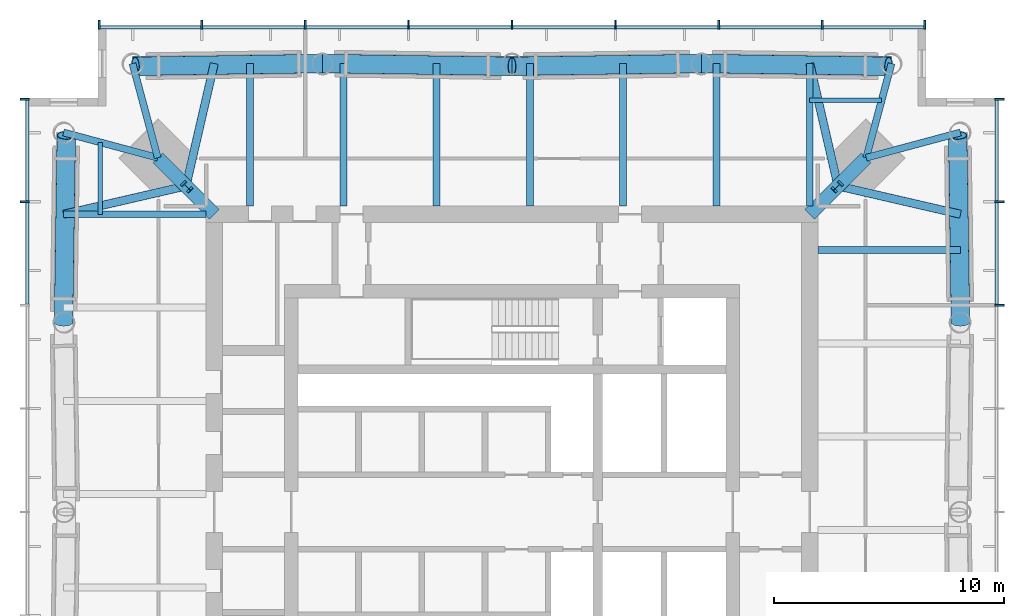
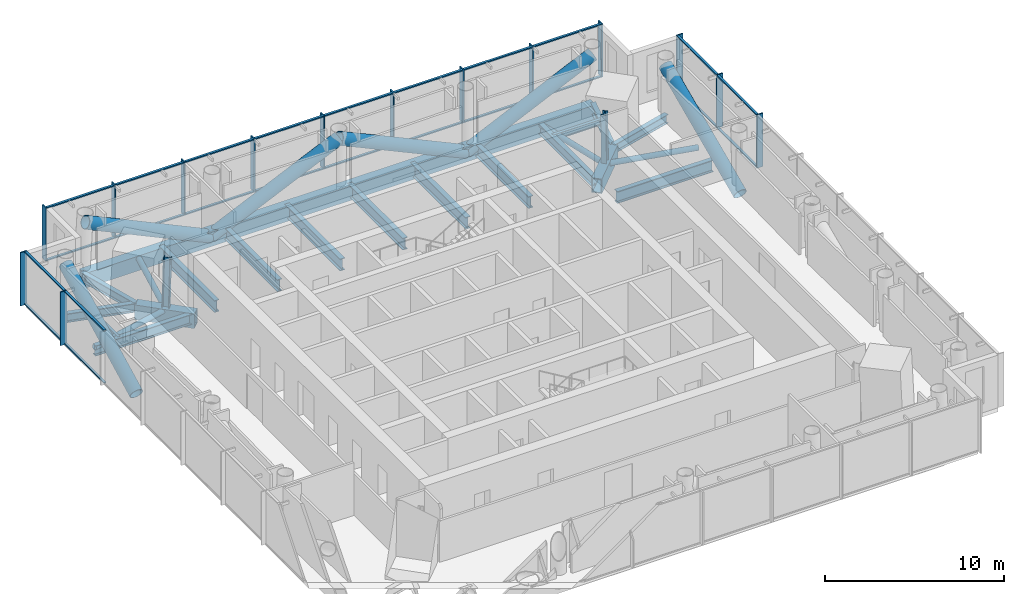
# One storey, part 3 of 9: 53 members, 15 beams, 3 elements without a shape of their own.
"""IFC4 building model written with IfcOpenShell, lengths in metres."""

from ifc_helpers import new_model, si_unit, direction, frame, origin, origin_2d, place, context, subcontext, project, spatial, rectangle, hollow_rectangle, hollow_circle, i_section, extrude, material, material_profile, profile_set, type_object, element, aggregate, save


model = new_model("IFC4")

# Units and contexts
model_context = context("Model", 3, precision=1e-05, world=origin(), true_north=direction((0.0, 1.0)))
body_context = subcontext(model_context, "Body", "Model", "MODEL_VIEW")
ifc_project = project(units=[si_unit("LENGTHUNIT", "METRE"), si_unit("AREAUNIT", "SQUARE_METRE"), si_unit("VOLUMEUNIT", "CUBIC_METRE"), si_unit("PLANEANGLEUNIT", "RADIAN"), si_unit("MASSUNIT", "GRAM", prefix="KILO")], contexts=[model_context])

# Site, building, storey
site_placement = place(None, origin())
site = spatial("IfcSite", under=ifc_project, at=site_placement, CompositionType="ELEMENT")
building_placement = place(site_placement, origin())
building = spatial("IfcBuilding", under=site, at=building_placement, Name="Ostroluk Exchange", CompositionType="ELEMENT")
storey_placement = place(building_placement, frame((0.0, 0.0, 161.60009765625)))
storey = spatial("IfcBuildingStorey", under=building, at=storey_placement, Name="L41", CompositionType="ELEMENT", Elevation=161.60009765625)

# Members
ifc_material_1 = material(Name="Steel S460", Category="steel")
ifc_material_profile_1 = material_profile(ifc_material_1, hollow_rectangle(XDim=0.60009765625, YDim=1.0, WallThickness=0.06005859375, at=origin_2d()), Name="BOX 600x1000x60")
ifc_profile_set_1 = profile_set([ifc_material_profile_1], Name="Steel S460")
member_type_1 = type_object("IfcMemberType", Name="Belt truss chord BOX 600x1000x60", PredefinedType="CHORD", material=ifc_profile_set_1)
member_1_placement = place(storey_placement, frame((61.507080078125, 65.507080078125, -0.780029296875), z_axis=(-1.0, 0.0, 0.0), x_axis=(0.0, -1.0, 0.0)))
element("IfcMember", 1, at=member_1_placement, inside=storey, type_object=member_type_1, Name="Belt truss 2 north chord 2", PredefinedType="CHORD", context=body_context, shape_type="SweptSolid", body=[
    extrude(hollow_rectangle(XDim=0.60009765625, YDim=1.0, WallThickness=0.06005859375, at=origin_2d()), origin(), (0.0, 0.0, 1.0), 33.01416015625),
])
ifc_material_2 = material(Name="Steel S460", Category="steel")
ifc_material_profile_2 = material_profile(ifc_material_2, hollow_circle(Radius=0.406494140625, WallThickness=0.030029296875, at=origin_2d()), Name="CHS 813x30")
ifc_profile_set_2 = profile_set([ifc_material_profile_2], Name="Steel S460")
member_type_2 = type_object("IfcMemberType", Name="Belt truss diagonal CHS 813x30", PredefinedType="BRACE", material=ifc_profile_set_2)
for number, where, z_axis, x_axis, name in (
    (2, (64.507080078125, 54.253662109375, -0.780029296875), (-0.013465462075, 0.902456893863, 0.430569664573), (-0.999888702071, -0.014919231587, 0.0), "Belt truss 2 east diagonal 2.4"),
    (3, (53.253662109375, 65.507080078125, -0.780029296875), (0.902456893863, -0.013465462075, 0.430569664573), (0.014919231587, 0.999888702071, 0.0), "Belt truss 2 north diagonal 2.1"),
):
    element("IfcMember", number, at=place(storey_placement, frame(where, z_axis=z_axis, x_axis=x_axis)), inside=storey, type_object=member_type_2, Name=name, PredefinedType="BRACE", context=body_context, shape_type="SweptSolid", body=[
        extrude(hollow_circle(Radius=0.406494140625, WallThickness=0.030029296875, at=origin_2d()), origin(), (0.0, 0.0, 1.0), 9.010986328125),
    ])
for number, where, z_axis, x_axis, name in (
    (4, (53.253662109375, 65.507080078125, -0.780029296875), (-0.904915687565, -0.013303253667, 0.425382912023), (0.014699509046, -0.99989195638, 0.0), "Belt truss 2 north diagonal 2.2"),
    (5, (36.746337890625, 65.507080078125, -0.780029296875), (0.904915687565, -0.013303253667, 0.425382912023), (0.014699509046, 0.99989195638, 0.0), "Belt truss 2 north diagonal 2.3"),
):
    element("IfcMember", number, at=place(storey_placement, frame(where, z_axis=z_axis, x_axis=x_axis)), inside=storey, type_object=member_type_2, Name=name, PredefinedType="BRACE", context=body_context, shape_type="SweptSolid", body=[
        extrude(hollow_circle(Radius=0.406494140625, WallThickness=0.030029296875, at=origin_2d()), origin(), (0.0, 0.0, 1.0), 9.120849609375),
    ])
for number, where, z_axis, x_axis, name in (
    (6, (36.746337890625, 65.507080078125, -0.780029296875), (-0.902456893863, -0.013465462075, 0.430569664573), (0.014919231587, -0.999888702071, 0.0), "Belt truss 2 north diagonal 2.4"),
    (7, (25.492919921875, 54.253662109375, -0.780029296875), (0.013465462075, 0.902456893863, 0.430569664573), (-0.999888702071, 0.014919231587, 0.0), "Belt truss 2 west diagonal 2.1"),
):
    element("IfcMember", number, at=place(storey_placement, frame(where, z_axis=z_axis, x_axis=x_axis)), inside=storey, type_object=member_type_2, Name=name, PredefinedType="BRACE", context=body_context, shape_type="SweptSolid", body=[
        extrude(hollow_circle(Radius=0.406494140625, WallThickness=0.030029296875, at=origin_2d()), origin(), (0.0, 0.0, 1.0), 9.010986328125),
    ])

# Beams
ifc_material_3 = material(Name="Steel S355", Category="steel")
ifc_material_profile_3 = material_profile(ifc_material_3, i_section(OverallWidth=0.300048828125, OverallDepth=0.60009765625, WebThickness=0.015380859375, FlangeThickness=0.030029296875, FilletRadius=0.027099609375, at=origin_2d()), Name="HEB 600")
ifc_profile_set_3 = profile_set([ifc_material_profile_3], Name="Steel S355")
beam_type_1 = type_object("IfcBeamType", Name="Corner edge beam HEB 600", PredefinedType="SPANDREL", material=ifc_profile_set_3)
for number, where, z_axis, x_axis, name in (
    (8, (60.4072265625, 61.4072265625, -0.580078125), (0.965849156574, 0.259105011038, 0.0), (-0.259105011038, 0.965849156574, 0.0), "T1 east corner edge beam a"),
    (9, (60.4072265625, 61.4072265625, -0.580078125), (0.259105011038, 0.965849156574, 0.0), (-0.965849156574, 0.259105011038, 0.0), "T1 east corner edge beam b"),
    (10, (29.5927734375, 61.4072265625, -0.580078125), (-0.259105011038, 0.965849156574, 0.0), (-0.965849156574, -0.259105011038, 0.0), "T1 north corner edge beam a"),
    (11, (29.5927734375, 61.4072265625, -0.580078125), (-0.965849156574, 0.259105011038, 0.0), (-0.259105011038, -0.965849156574, 0.0), "T1 north corner edge beam b"),
):
    element("IfcBeam", number, at=place(storey_placement, frame(where, z_axis=z_axis, x_axis=x_axis)), inside=storey, type_object=beam_type_1, Name=name, PredefinedType="SPANDREL", context=body_context, shape_type="SweptSolid", body=[
        extrude(i_section(OverallWidth=0.300048828125, OverallDepth=0.60009765625, WebThickness=0.015380859375, FlangeThickness=0.030029296875, FilletRadius=0.027099609375, at=origin_2d()), origin(), (0.0, 0.0, 1.0), 4.244873046875),
    ])
ifc_material_4 = material(Name="Steel S355", Category="steel")
ifc_material_profile_4 = material_profile(ifc_material_4, i_section(OverallWidth=0.302978515625, OverallDepth=0.81396484375, WebThickness=0.02099609375, FlangeThickness=0.0400390625, FilletRadius=0.030029296875, at=origin_2d()), Name="HEM 800")
ifc_profile_set_4 = profile_set([ifc_material_profile_4], Name="Steel S355")
beam_type_2 = type_object("IfcBeamType", Name="Floor beam HEM 800", PredefinedType="BEAM", material=ifc_profile_set_4)
for number, where, z_axis, x_axis, name in (
    (12, (58.300048828125, 57.392822265625, -0.68701171875), (1.0, 0.0, 0.0), (0.0, 1.0, 0.0), "T1 east floor beam 6"),
    (13, (53.892822265625, 59.300048828125, -0.68701171875), (0.0, 1.0, 0.0), (-1.0, 0.0, 0.0), "T1 north floor beam 1"),
    (14, (49.835693359375, 59.300048828125, -0.68701171875), (0.0, 1.0, 0.0), (-1.0, 0.0, 0.0), "T1 north floor beam 2"),
    (15, (45.778564453125, 59.300048828125, -0.68701171875), (0.0, 1.0, 0.0), (-1.0, 0.0, 0.0), "T1 north floor beam 3"),
    (16, (41.721435546875, 59.300048828125, -0.68701171875), (0.0, 1.0, 0.0), (-1.0, 0.0, 0.0), "T1 north floor beam 4"),
    (17, (37.664306640625, 59.300048828125, -0.68701171875), (0.0, 1.0, 0.0), (-1.0, 0.0, 0.0), "T1 north floor beam 5"),
    (18, (33.607177734375, 59.300048828125, -0.68701171875), (0.0, 1.0, 0.0), (-1.0, 0.0, 0.0), "T1 north floor beam 6"),
):
    element("IfcBeam", number, at=place(storey_placement, frame(where, z_axis=z_axis, x_axis=x_axis)), inside=storey, type_object=beam_type_2, Name=name, PredefinedType="BEAM", context=body_context, shape_type="SweptSolid", body=[
        extrude(i_section(OverallWidth=0.302978515625, OverallDepth=0.81396484375, WebThickness=0.02099609375, FlangeThickness=0.0400390625, FilletRadius=0.030029296875, at=origin_2d()), origin(), (0.0, 0.0, 1.0), 6.20703125),
    ])
ifc_material_5 = material(Name="Steel S355", Category="steel")
ifc_material_profile_5 = material_profile(ifc_material_5, i_section(OverallWidth=0.179931640625, OverallDepth=0.39990234375, WebThickness=0.008544921875, FlangeThickness=0.013427734375, FilletRadius=0.02099609375, at=origin_2d()), Name="IPE 400")
ifc_profile_set_5 = profile_set([ifc_material_profile_5], Name="Steel S355")
beam_type_3 = type_object("IfcBeamType", Name="Floor beam IPE 400", PredefinedType="BEAM", material=ifc_profile_set_5)
for number, where, z_axis, x_axis, name in (
    (19, (57.949951171875, 63.9072265625, -0.47998046875), (1.0, 0.0, 0.0), (0.0, 1.0, 0.0), "T1 east floor beam 7"),
    (20, (27.0927734375, 58.949951171875, -0.47998046875), (0.0, 1.0, 0.0), (-1.0, 0.0, 0.0), "T1 north floor beam 7"),
):
    element("IfcBeam", number, at=place(storey_placement, frame(where, z_axis=z_axis, x_axis=x_axis)), inside=storey, type_object=beam_type_3, Name=name, PredefinedType="BEAM", context=body_context, shape_type="SweptSolid", body=[
        extrude(i_section(OverallWidth=0.179931640625, OverallDepth=0.39990234375, WebThickness=0.008544921875, FlangeThickness=0.013427734375, FilletRadius=0.02099609375, at=origin_2d()), origin(), (0.0, 0.0, 1.0), 3.1279296875),
    ])
ifc_material_6 = material(Name="Steel S355", Category="steel")
ifc_material_profile_6 = material_profile(ifc_material_6, i_section(OverallWidth=0.300048828125, OverallDepth=0.699951171875, WebThickness=0.01708984375, FlangeThickness=0.031982421875, FilletRadius=0.027099609375, at=origin_2d()), Name="HEB 700")
ifc_profile_set_6 = profile_set([ifc_material_profile_6], Name="Steel S355")
beam_type_4 = type_object("IfcBeamType", Name="Girder HEB 700", PredefinedType="BEAM", material=ifc_profile_set_6)
for number, where, z_axis, x_axis, name in (
    (21, (57.949951171875, 59.300048828125, -0.630126953125), (0.0, 1.0, 0.0), (-1.0, 0.0, 0.0), "T1 east girder"),
    (22, (31.699951171875, 58.949951171875, -0.630126953125), (-1.0, 0.0, 0.0), (0.0, -1.0, 0.0), "T1 north girder"),
):
    element("IfcBeam", number, at=place(storey_placement, frame(where, z_axis=z_axis, x_axis=x_axis)), inside=storey, type_object=beam_type_4, Name=name, PredefinedType="BEAM", context=body_context, shape_type="SweptSolid", body=[
        extrude(i_section(OverallWidth=0.300048828125, OverallDepth=0.699951171875, WebThickness=0.01708984375, FlangeThickness=0.031982421875, FilletRadius=0.027099609375, at=origin_2d()), origin(), (0.0, 0.0, 1.0), 6.20703125),
    ])

# Members
ifc_material_7 = material(Name="Steel S460", Category="steel")
ifc_material_profile_7 = material_profile(ifc_material_7, hollow_rectangle(XDim=0.60009765625, YDim=1.0, WallThickness=0.06005859375, at=origin_2d()), Name="BOX 600x1000x60")
ifc_profile_set_7 = profile_set([ifc_material_profile_7], Name="Steel S460")
member_type_3 = type_object("IfcMemberType", Name="Outrigger chord BOX 600x1000x60", PredefinedType="CHORD", material=ifc_profile_set_7)
for number, where, z_axis, x_axis, name in (
    (23, (57.949951171875, 58.949951171875, -0.780029296875), (0.707106781187, 0.707106781187, 0.0), (-0.707106781187, 0.707106781187, 0.0), "Outrigger 2 NE chord 2"),
    (24, (32.050048828125, 58.949951171875, -0.780029296875), (-0.707106781187, 0.707106781187, 0.0), (-0.707106781187, -0.707106781187, 0.0), "Outrigger 2 NW chord 2"),
):
    element("IfcMember", number, at=place(storey_placement, frame(where, z_axis=z_axis, x_axis=x_axis)), inside=storey, type_object=member_type_3, Name=name, PredefinedType="CHORD", context=body_context, shape_type="SweptSolid", body=[
        extrude(hollow_rectangle(XDim=0.60009765625, YDim=1.0, WallThickness=0.06005859375, at=origin_2d()), origin(), (0.0, 0.0, 1.0), 3.47509765625),
    ])
ifc_material_8 = material(Name="Steel S460", Category="steel")
ifc_material_profile_8 = material_profile(ifc_material_8, i_section(OverallWidth=0.306884765625, OverallDepth=0.431884765625, WebThickness=0.02099609375, FlangeThickness=0.0400390625, FilletRadius=0.027099609375, at=origin_2d()), Name="HEM 400")
ifc_profile_set_8 = profile_set([ifc_material_profile_8], Name="Steel S460")
member_type_4 = type_object("IfcMemberType", Name="Outrigger post HEM 400", PredefinedType="POST", material=ifc_profile_set_8)
for number, where, z_axis, x_axis, name in (
    (25, (59.178466796875, 60.178466796875, -0.780029296875), (-0.015601537093, -0.015601537093, 0.999756562409), (0.707106781187, -0.707106781187, 0.0), "Outrigger 2 NE post 2"),
    (26, (30.821533203125, 60.178466796875, -0.780029296875), (0.015601537093, -0.015601537093, 0.999756562409), (0.707106781187, 0.707106781187, 0.0), "Outrigger 2 NW post 2"),
):
    element("IfcMember", number, at=place(storey_placement, frame(where, z_axis=z_axis, x_axis=x_axis)), inside=storey, type_object=member_type_4, Name=name, PredefinedType="POST", context=body_context, shape_type="SweptSolid", body=[
        extrude(i_section(OverallWidth=0.306884765625, OverallDepth=0.431884765625, WebThickness=0.02099609375, FlangeThickness=0.0400390625, FilletRadius=0.027099609375, at=origin_2d()), origin(), (0.0, 0.0, 1.0), 3.880859375),
    ])
ifc_material_9 = material(Name="Steel S460", Category="steel")
ifc_material_profile_9 = material_profile(ifc_material_9, hollow_circle(Radius=0.177734375, WallThickness=0.012451171875, at=origin_2d()), Name="CHS 355.6x12.5")
ifc_profile_set_9 = profile_set([ifc_material_profile_9], Name="Steel S460")
member_type_5 = type_object("IfcMemberType", Name="Plan bracing CHS 355.6x12.5", PredefinedType="BRACE", material=ifc_profile_set_9)
for number, where, z_axis, x_axis, name in (
    (27, (59.178466796875, 60.178466796875, -0.4580078125), (0.974437827009, -0.224657341955, 0.0), (0.224657341955, 0.974437827009, 0.0), "Plan bracing L41 NE a"),
    (28, (59.178466796875, 60.178466796875, -0.4580078125), (-0.224657341955, 0.974437827009, 0.0), (-0.974437827009, -0.224657341955, 0.0), "Plan bracing L41 NE b"),
    (29, (30.821533203125, 60.178466796875, -0.4580078125), (0.224657341955, 0.974437827009, 0.0), (-0.974437827009, 0.224657341955, 0.0), "Plan bracing L41 NW a"),
    (30, (30.821533203125, 60.178466796875, -0.4580078125), (-0.974437827009, -0.224657341955, 0.0), (0.224657341955, -0.974437827009, 0.0), "Plan bracing L41 NW b"),
):
    element("IfcMember", number, at=place(storey_placement, frame(where, z_axis=z_axis, x_axis=x_axis)), inside=storey, type_object=member_type_5, Name=name, PredefinedType="BRACE", context=body_context, shape_type="SweptSolid", body=[
        extrude(hollow_circle(Radius=0.177734375, WallThickness=0.012451171875, at=origin_2d()), origin(), (0.0, 0.0, 1.0), 5.468505859375),
    ])

# Curtain wall, members
ifc_material_10 = material(Name="Laminated clear glass", Category="glass")
curtain_wall_type = type_object("IfcCurtainWallType", Name="Office tower plant and sky lobby facade", PredefinedType="USERDEFINED", material=ifc_material_10)
curtain_wall_1_placement = place(storey_placement, origin())
curtain_wall_1 = element("IfcCurtainWall", 31, at=curtain_wall_1_placement, inside=storey, type_object=curtain_wall_type, Name="Office tower east facade L41", ObjectType="LOUVRED CURTAIN WALL", PredefinedType="USERDEFINED")
ifc_material_11 = material(Name="Aluminium mullion", Category="aluminium")
ifc_material_profile_10 = material_profile(ifc_material_11, rectangle(XDim=0.14990234375, YDim=0.080078125, at=origin_2d()), Name="Sill transom 80 x 150")
ifc_profile_set_10 = profile_set([ifc_material_profile_10], Name="Aluminium mullion")
member_type_6 = type_object("IfcMemberType", Name="Sill transom 80 x 150", PredefinedType="USERDEFINED", material=ifc_profile_set_10)
member_2_placement = place(storey_placement, frame((66.074951171875, 55.0400390625, 0.039794921875), z_axis=(0.0, 1.0, 0.0), x_axis=(-1.0, 0.0, 0.0)))
member_2 = element("IfcMember", 32, at=member_2_placement, type_object=member_type_6, Name="CW-P1 transom 7.1", ObjectType="TRANSOM", PredefinedType="USERDEFINED", context=body_context, shape_type="SweptSolid", body=[
    extrude(rectangle(XDim=0.14990234375, YDim=0.080078125, at=origin_2d()), origin(), (0.0, 0.0, 1.0), 4.419921875),
])
member_3_placement = place(storey_placement, frame((66.074951171875, 55.0400390625, 3.60986328125), z_axis=(0.0, 1.0, 0.0), x_axis=(-1.0, 0.0, 0.0)))
member_3 = element("IfcMember", 33, at=member_3_placement, type_object=member_type_6, Name="CW-P1 transom 7.2", ObjectType="TRANSOM", PredefinedType="USERDEFINED", context=body_context, shape_type="SweptSolid", body=[
    extrude(rectangle(XDim=0.14990234375, YDim=0.080078125, at=origin_2d()), origin(), (0.0, 0.0, 1.0), 4.419921875),
])
member_4_placement = place(storey_placement, frame((66.074951171875, 59.5400390625, 0.039794921875), z_axis=(0.0, 1.0, 0.0), x_axis=(-1.0, 0.0, 0.0)))
member_4 = element("IfcMember", 34, at=member_4_placement, type_object=member_type_6, Name="CW-P1 transom 8.1", ObjectType="TRANSOM", PredefinedType="USERDEFINED", context=body_context, shape_type="SweptSolid", body=[
    extrude(rectangle(XDim=0.14990234375, YDim=0.080078125, at=origin_2d()), origin(), (0.0, 0.0, 1.0), 4.3798828125),
])
member_5_placement = place(storey_placement, frame((66.074951171875, 59.5400390625, 3.60986328125), z_axis=(0.0, 1.0, 0.0), x_axis=(-1.0, 0.0, 0.0)))
member_5 = element("IfcMember", 35, at=member_5_placement, type_object=member_type_6, Name="CW-P1 transom 8.2", ObjectType="TRANSOM", PredefinedType="USERDEFINED", context=body_context, shape_type="SweptSolid", body=[
    extrude(rectangle(XDim=0.14990234375, YDim=0.080078125, at=origin_2d()), origin(), (0.0, 0.0, 1.0), 4.3798828125),
])

curtain_wall_2_placement = place(storey_placement, origin())
curtain_wall_2 = element("IfcCurtainWall", 36, at=curtain_wall_2_placement, inside=storey, type_object=curtain_wall_type, Name="Office tower north facade L41", ObjectType="LOUVRED CURTAIN WALL", PredefinedType="USERDEFINED")
member_6_placement = place(storey_placement, frame((62.919921875, 67.074951171875, 0.039794921875), z_axis=(-1.0, 0.0, 0.0), x_axis=(0.0, -1.0, 0.0)))
member_6 = element("IfcMember", 37, at=member_6_placement, type_object=member_type_6, Name="CW-P1 transom 1.1", ObjectType="TRANSOM", PredefinedType="USERDEFINED", context=body_context, shape_type="SweptSolid", body=[
    extrude(rectangle(XDim=0.14990234375, YDim=0.080078125, at=origin_2d()), origin(), (0.0, 0.0, 1.0), 4.3798828125),
])
member_7_placement = place(storey_placement, frame((62.919921875, 67.074951171875, 3.60986328125), z_axis=(-1.0, 0.0, 0.0), x_axis=(0.0, -1.0, 0.0)))
member_7 = element("IfcMember", 38, at=member_7_placement, type_object=member_type_6, Name="CW-P1 transom 1.2", ObjectType="TRANSOM", PredefinedType="USERDEFINED", context=body_context, shape_type="SweptSolid", body=[
    extrude(rectangle(XDim=0.14990234375, YDim=0.080078125, at=origin_2d()), origin(), (0.0, 0.0, 1.0), 4.3798828125),
])
member_8_placement = place(storey_placement, frame((58.4599609375, 67.074951171875, 0.039794921875), z_axis=(-1.0, 0.0, 0.0), x_axis=(0.0, -1.0, 0.0)))
member_8 = element("IfcMember", 39, at=member_8_placement, type_object=member_type_6, Name="CW-P1 transom 2.1", ObjectType="TRANSOM", PredefinedType="USERDEFINED", context=body_context, shape_type="SweptSolid", body=[
    extrude(rectangle(XDim=0.14990234375, YDim=0.080078125, at=origin_2d()), origin(), (0.0, 0.0, 1.0), 4.419921875),
])
member_9_placement = place(storey_placement, frame((58.4599609375, 67.074951171875, 3.60986328125), z_axis=(-1.0, 0.0, 0.0), x_axis=(0.0, -1.0, 0.0)))
member_9 = element("IfcMember", 40, at=member_9_placement, type_object=member_type_6, Name="CW-P1 transom 2.2", ObjectType="TRANSOM", PredefinedType="USERDEFINED", context=body_context, shape_type="SweptSolid", body=[
    extrude(rectangle(XDim=0.14990234375, YDim=0.080078125, at=origin_2d()), origin(), (0.0, 0.0, 1.0), 4.419921875),
])
member_10_placement = place(storey_placement, frame((53.9599609375, 67.074951171875, 0.039794921875), z_axis=(-1.0, 0.0, 0.0), x_axis=(0.0, -1.0, 0.0)))
member_10 = element("IfcMember", 41, at=member_10_placement, type_object=member_type_6, Name="CW-P1 transom 3.1", ObjectType="TRANSOM", PredefinedType="USERDEFINED", context=body_context, shape_type="SweptSolid", body=[
    extrude(rectangle(XDim=0.14990234375, YDim=0.080078125, at=origin_2d()), origin(), (0.0, 0.0, 1.0), 4.419921875),
])
member_11_placement = place(storey_placement, frame((53.9599609375, 67.074951171875, 3.60986328125), z_axis=(-1.0, 0.0, 0.0), x_axis=(0.0, -1.0, 0.0)))
member_11 = element("IfcMember", 42, at=member_11_placement, type_object=member_type_6, Name="CW-P1 transom 3.2", ObjectType="TRANSOM", PredefinedType="USERDEFINED", context=body_context, shape_type="SweptSolid", body=[
    extrude(rectangle(XDim=0.14990234375, YDim=0.080078125, at=origin_2d()), origin(), (0.0, 0.0, 1.0), 4.419921875),
])
member_12_placement = place(storey_placement, frame((49.4599609375, 67.074951171875, 0.039794921875), z_axis=(-1.0, 0.0, 0.0), x_axis=(0.0, -1.0, 0.0)))
member_12 = element("IfcMember", 43, at=member_12_placement, type_object=member_type_6, Name="CW-P1 transom 4.1", ObjectType="TRANSOM", PredefinedType="USERDEFINED", context=body_context, shape_type="SweptSolid", body=[
    extrude(rectangle(XDim=0.14990234375, YDim=0.080078125, at=origin_2d()), origin(), (0.0, 0.0, 1.0), 4.419921875),
])
member_13_placement = place(storey_placement, frame((49.4599609375, 67.074951171875, 3.60986328125), z_axis=(-1.0, 0.0, 0.0), x_axis=(0.0, -1.0, 0.0)))
member_13 = element("IfcMember", 44, at=member_13_placement, type_object=member_type_6, Name="CW-P1 transom 4.2", ObjectType="TRANSOM", PredefinedType="USERDEFINED", context=body_context, shape_type="SweptSolid", body=[
    extrude(rectangle(XDim=0.14990234375, YDim=0.080078125, at=origin_2d()), origin(), (0.0, 0.0, 1.0), 4.419921875),
])
member_14_placement = place(storey_placement, frame((44.9599609375, 67.074951171875, 0.039794921875), z_axis=(-1.0, 0.0, 0.0), x_axis=(0.0, -1.0, 0.0)))
member_14 = element("IfcMember", 45, at=member_14_placement, type_object=member_type_6, Name="CW-P1 transom 5.1", ObjectType="TRANSOM", PredefinedType="USERDEFINED", context=body_context, shape_type="SweptSolid", body=[
    extrude(rectangle(XDim=0.14990234375, YDim=0.080078125, at=origin_2d()), origin(), (0.0, 0.0, 1.0), 4.419921875),
])
member_15_placement = place(storey_placement, frame((44.9599609375, 67.074951171875, 3.60986328125), z_axis=(-1.0, 0.0, 0.0), x_axis=(0.0, -1.0, 0.0)))
member_15 = element("IfcMember", 46, at=member_15_placement, type_object=member_type_6, Name="CW-P1 transom 5.2", ObjectType="TRANSOM", PredefinedType="USERDEFINED", context=body_context, shape_type="SweptSolid", body=[
    extrude(rectangle(XDim=0.14990234375, YDim=0.080078125, at=origin_2d()), origin(), (0.0, 0.0, 1.0), 4.419921875),
])
member_16_placement = place(storey_placement, frame((40.4599609375, 67.074951171875, 0.039794921875), z_axis=(-1.0, 0.0, 0.0), x_axis=(0.0, -1.0, 0.0)))
member_16 = element("IfcMember", 47, at=member_16_placement, type_object=member_type_6, Name="CW-P1 transom 6.1", ObjectType="TRANSOM", PredefinedType="USERDEFINED", context=body_context, shape_type="SweptSolid", body=[
    extrude(rectangle(XDim=0.14990234375, YDim=0.080078125, at=origin_2d()), origin(), (0.0, 0.0, 1.0), 4.419921875),
])
member_17_placement = place(storey_placement, frame((40.4599609375, 67.074951171875, 3.60986328125), z_axis=(-1.0, 0.0, 0.0), x_axis=(0.0, -1.0, 0.0)))
member_17 = element("IfcMember", 48, at=member_17_placement, type_object=member_type_6, Name="CW-P1 transom 6.2", ObjectType="TRANSOM", PredefinedType="USERDEFINED", context=body_context, shape_type="SweptSolid", body=[
    extrude(rectangle(XDim=0.14990234375, YDim=0.080078125, at=origin_2d()), origin(), (0.0, 0.0, 1.0), 4.419921875),
])
member_18_placement = place(storey_placement, frame((35.9599609375, 67.074951171875, 0.039794921875), z_axis=(-1.0, 0.0, 0.0), x_axis=(0.0, -1.0, 0.0)))
member_18 = element("IfcMember", 49, at=member_18_placement, type_object=member_type_6, Name="CW-P1 transom 7.1", ObjectType="TRANSOM", PredefinedType="USERDEFINED", context=body_context, shape_type="SweptSolid", body=[
    extrude(rectangle(XDim=0.14990234375, YDim=0.080078125, at=origin_2d()), origin(), (0.0, 0.0, 1.0), 4.419921875),
])
member_19_placement = place(storey_placement, frame((35.9599609375, 67.074951171875, 3.60986328125), z_axis=(-1.0, 0.0, 0.0), x_axis=(0.0, -1.0, 0.0)))
member_19 = element("IfcMember", 50, at=member_19_placement, type_object=member_type_6, Name="CW-P1 transom 7.2", ObjectType="TRANSOM", PredefinedType="USERDEFINED", context=body_context, shape_type="SweptSolid", body=[
    extrude(rectangle(XDim=0.14990234375, YDim=0.080078125, at=origin_2d()), origin(), (0.0, 0.0, 1.0), 4.419921875),
])
member_20_placement = place(storey_placement, frame((31.4599609375, 67.074951171875, 0.039794921875), z_axis=(-1.0, 0.0, 0.0), x_axis=(0.0, -1.0, 0.0)))
member_20 = element("IfcMember", 51, at=member_20_placement, type_object=member_type_6, Name="CW-P1 transom 8.1", ObjectType="TRANSOM", PredefinedType="USERDEFINED", context=body_context, shape_type="SweptSolid", body=[
    extrude(rectangle(XDim=0.14990234375, YDim=0.080078125, at=origin_2d()), origin(), (0.0, 0.0, 1.0), 4.3798828125),
])
member_21_placement = place(storey_placement, frame((31.4599609375, 67.074951171875, 3.60986328125), z_axis=(-1.0, 0.0, 0.0), x_axis=(0.0, -1.0, 0.0)))
member_21 = element("IfcMember", 52, at=member_21_placement, type_object=member_type_6, Name="CW-P1 transom 8.2", ObjectType="TRANSOM", PredefinedType="USERDEFINED", context=body_context, shape_type="SweptSolid", body=[
    extrude(rectangle(XDim=0.14990234375, YDim=0.080078125, at=origin_2d()), origin(), (0.0, 0.0, 1.0), 4.3798828125),
])

curtain_wall_3_placement = place(storey_placement, origin())
curtain_wall_3 = element("IfcCurtainWall", 53, at=curtain_wall_3_placement, inside=storey, type_object=curtain_wall_type, Name="Office tower west facade L41", ObjectType="LOUVRED CURTAIN WALL", PredefinedType="USERDEFINED")
member_22_placement = place(storey_placement, frame((23.925048828125, 63.919921875, 0.039794921875), z_axis=(0.0, -1.0, 0.0), x_axis=(1.0, 0.0, 0.0)))
member_22 = element("IfcMember", 54, at=member_22_placement, type_object=member_type_6, Name="CW-P1 transom 1.1", ObjectType="TRANSOM", PredefinedType="USERDEFINED", context=body_context, shape_type="SweptSolid", body=[
    extrude(rectangle(XDim=0.14990234375, YDim=0.080078125, at=origin_2d()), origin(), (0.0, 0.0, 1.0), 4.3798828125),
])
member_23_placement = place(storey_placement, frame((23.925048828125, 63.919921875, 3.60986328125), z_axis=(0.0, -1.0, 0.0), x_axis=(1.0, 0.0, 0.0)))
member_23 = element("IfcMember", 55, at=member_23_placement, type_object=member_type_6, Name="CW-P1 transom 1.2", ObjectType="TRANSOM", PredefinedType="USERDEFINED", context=body_context, shape_type="SweptSolid", body=[
    extrude(rectangle(XDim=0.14990234375, YDim=0.080078125, at=origin_2d()), origin(), (0.0, 0.0, 1.0), 4.3798828125),
])
member_24_placement = place(storey_placement, frame((23.925048828125, 59.4599609375, 0.039794921875), z_axis=(0.0, -1.0, 0.0), x_axis=(1.0, 0.0, 0.0)))
member_24 = element("IfcMember", 56, at=member_24_placement, type_object=member_type_6, Name="CW-P1 transom 2.1", ObjectType="TRANSOM", PredefinedType="USERDEFINED", context=body_context, shape_type="SweptSolid", body=[
    extrude(rectangle(XDim=0.14990234375, YDim=0.080078125, at=origin_2d()), origin(), (0.0, 0.0, 1.0), 4.419921875),
])
member_25_placement = place(storey_placement, frame((23.925048828125, 59.4599609375, 3.60986328125), z_axis=(0.0, -1.0, 0.0), x_axis=(1.0, 0.0, 0.0)))
member_25 = element("IfcMember", 57, at=member_25_placement, type_object=member_type_6, Name="CW-P1 transom 2.2", ObjectType="TRANSOM", PredefinedType="USERDEFINED", context=body_context, shape_type="SweptSolid", body=[
    extrude(rectangle(XDim=0.14990234375, YDim=0.080078125, at=origin_2d()), origin(), (0.0, 0.0, 1.0), 4.419921875),
])

# Member
ifc_material_12 = material(Name="Aluminium mullion with limestone facing", Category="masonry")
ifc_material_profile_11 = material_profile(ifc_material_12, rectangle(XDim=0.39990234375, YDim=0.080078125, at=origin_2d()), Name="Tracery mullion 80 x 400")
ifc_profile_set_11 = profile_set([ifc_material_profile_11], Name="Aluminium mullion with limestone facing")
member_type_7 = type_object("IfcMemberType", Name="Tracery mullion 80 x 400", PredefinedType="MULLION", material=ifc_profile_set_11)
member_26_placement = place(storey_placement, frame((66.199951171875, 55.0, 0.0), z_axis=(0.0, 0.0, 1.0), x_axis=(-1.0, 0.0, 0.0)))
member_26 = element("IfcMember", 58, at=member_26_placement, type_object=member_type_7, Name="CW-P1 mullion 7", PredefinedType="MULLION", context=body_context, shape_type="SweptSolid", body=[
    extrude(rectangle(XDim=0.39990234375, YDim=0.080078125, at=origin_2d()), origin(), (0.0, 0.0, 1.0), 3.64990234375),
])

member_27_placement = place(storey_placement, frame((66.199951171875, 59.5, 0.0), z_axis=(0.0, 0.0, 1.0), x_axis=(-1.0, 0.0, 0.0)))
member_27 = element("IfcMember", 59, at=member_27_placement, type_object=member_type_7, Name="CW-P1 mullion 8", PredefinedType="MULLION", context=body_context, shape_type="SweptSolid", body=[
    extrude(rectangle(XDim=0.39990234375, YDim=0.080078125, at=origin_2d()), origin(), (0.0, 0.0, 1.0), 3.64990234375),
])

member_28_placement = place(storey_placement, frame((66.199951171875, 63.9599609375, 0.0), z_axis=(0.0, 0.0, 1.0), x_axis=(-1.0, 0.0, 0.0)))
member_28 = element("IfcMember", 60, at=member_28_placement, type_object=member_type_7, Name="CW-P1 mullion 9", PredefinedType="MULLION", context=body_context, shape_type="SweptSolid", body=[
    extrude(rectangle(XDim=0.39990234375, YDim=0.080078125, at=origin_2d()), origin(), (0.0, 0.0, 1.0), 3.64990234375),
])

aggregate(curtain_wall_1, [member_26, member_27, member_28, member_2, member_3, member_4, member_5])

member_29_placement = place(storey_placement, frame((62.9599609375, 67.199951171875, 0.0), z_axis=(0.0, 0.0, 1.0), x_axis=(0.0, -1.0, 0.0)))
member_29 = element("IfcMember", 61, at=member_29_placement, type_object=member_type_7, Name="CW-P1 mullion 1", PredefinedType="MULLION", context=body_context, shape_type="SweptSolid", body=[
    extrude(rectangle(XDim=0.39990234375, YDim=0.080078125, at=origin_2d()), origin(), (0.0, 0.0, 1.0), 3.64990234375),
])

member_30_placement = place(storey_placement, frame((58.5, 67.199951171875, 0.0), z_axis=(0.0, 0.0, 1.0), x_axis=(0.0, -1.0, 0.0)))
member_30 = element("IfcMember", 62, at=member_30_placement, type_object=member_type_7, Name="CW-P1 mullion 2", PredefinedType="MULLION", context=body_context, shape_type="SweptSolid", body=[
    extrude(rectangle(XDim=0.39990234375, YDim=0.080078125, at=origin_2d()), origin(), (0.0, 0.0, 1.0), 3.64990234375),
])

member_31_placement = place(storey_placement, frame((54.0, 67.199951171875, 0.0), z_axis=(0.0, 0.0, 1.0), x_axis=(0.0, -1.0, 0.0)))
member_31 = element("IfcMember", 63, at=member_31_placement, type_object=member_type_7, Name="CW-P1 mullion 3", PredefinedType="MULLION", context=body_context, shape_type="SweptSolid", body=[
    extrude(rectangle(XDim=0.39990234375, YDim=0.080078125, at=origin_2d()), origin(), (0.0, 0.0, 1.0), 3.64990234375),
])

member_32_placement = place(storey_placement, frame((49.5, 67.199951171875, 0.0), z_axis=(0.0, 0.0, 1.0), x_axis=(0.0, -1.0, 0.0)))
member_32 = element("IfcMember", 64, at=member_32_placement, type_object=member_type_7, Name="CW-P1 mullion 4", PredefinedType="MULLION", context=body_context, shape_type="SweptSolid", body=[
    extrude(rectangle(XDim=0.39990234375, YDim=0.080078125, at=origin_2d()), origin(), (0.0, 0.0, 1.0), 3.64990234375),
])

member_33_placement = place(storey_placement, frame((45.0, 67.199951171875, 0.0), z_axis=(0.0, 0.0, 1.0), x_axis=(0.0, -1.0, 0.0)))
member_33 = element("IfcMember", 65, at=member_33_placement, type_object=member_type_7, Name="CW-P1 mullion 5", PredefinedType="MULLION", context=body_context, shape_type="SweptSolid", body=[
    extrude(rectangle(XDim=0.39990234375, YDim=0.080078125, at=origin_2d()), origin(), (0.0, 0.0, 1.0), 3.64990234375),
])

member_34_placement = place(storey_placement, frame((40.5, 67.199951171875, 0.0), z_axis=(0.0, 0.0, 1.0), x_axis=(0.0, -1.0, 0.0)))
member_34 = element("IfcMember", 66, at=member_34_placement, type_object=member_type_7, Name="CW-P1 mullion 6", PredefinedType="MULLION", context=body_context, shape_type="SweptSolid", body=[
    extrude(rectangle(XDim=0.39990234375, YDim=0.080078125, at=origin_2d()), origin(), (0.0, 0.0, 1.0), 3.64990234375),
])

member_35_placement = place(storey_placement, frame((36.0, 67.199951171875, 0.0), z_axis=(0.0, 0.0, 1.0), x_axis=(0.0, -1.0, 0.0)))
member_35 = element("IfcMember", 67, at=member_35_placement, type_object=member_type_7, Name="CW-P1 mullion 7", PredefinedType="MULLION", context=body_context, shape_type="SweptSolid", body=[
    extrude(rectangle(XDim=0.39990234375, YDim=0.080078125, at=origin_2d()), origin(), (0.0, 0.0, 1.0), 3.64990234375),
])

member_36_placement = place(storey_placement, frame((31.5, 67.199951171875, 0.0), z_axis=(0.0, 0.0, 1.0), x_axis=(0.0, -1.0, 0.0)))
member_36 = element("IfcMember", 68, at=member_36_placement, type_object=member_type_7, Name="CW-P1 mullion 8", PredefinedType="MULLION", context=body_context, shape_type="SweptSolid", body=[
    extrude(rectangle(XDim=0.39990234375, YDim=0.080078125, at=origin_2d()), origin(), (0.0, 0.0, 1.0), 3.64990234375),
])

member_37_placement = place(storey_placement, frame((27.0400390625, 67.199951171875, 0.0), z_axis=(0.0, 0.0, 1.0), x_axis=(0.0, -1.0, 0.0)))
member_37 = element("IfcMember", 69, at=member_37_placement, type_object=member_type_7, Name="CW-P1 mullion 9", PredefinedType="MULLION", context=body_context, shape_type="SweptSolid", body=[
    extrude(rectangle(XDim=0.39990234375, YDim=0.080078125, at=origin_2d()), origin(), (0.0, 0.0, 1.0), 3.64990234375),
])

aggregate(curtain_wall_2, [member_29, member_30, member_31, member_32, member_33, member_34, member_35, member_36, member_37, member_6, member_7, member_8, member_9, member_10, member_11, member_12, member_13, member_14, member_15, member_16, member_17, member_18, member_19, member_20, member_21])

member_38_placement = place(storey_placement, frame((23.800048828125, 63.9599609375, 0.0), z_axis=(0.0, 0.0, 1.0), x_axis=(1.0, 0.0, 0.0)))
member_38 = element("IfcMember", 70, at=member_38_placement, type_object=member_type_7, Name="CW-P1 mullion 1", PredefinedType="MULLION", context=body_context, shape_type="SweptSolid", body=[
    extrude(rectangle(XDim=0.39990234375, YDim=0.080078125, at=origin_2d()), origin(), (0.0, 0.0, 1.0), 3.64990234375),
])

member_39_placement = place(storey_placement, frame((23.800048828125, 59.5, 0.0), z_axis=(0.0, 0.0, 1.0), x_axis=(1.0, 0.0, 0.0)))
member_39 = element("IfcMember", 71, at=member_39_placement, type_object=member_type_7, Name="CW-P1 mullion 2", PredefinedType="MULLION", context=body_context, shape_type="SweptSolid", body=[
    extrude(rectangle(XDim=0.39990234375, YDim=0.080078125, at=origin_2d()), origin(), (0.0, 0.0, 1.0), 3.64990234375),
])

aggregate(curtain_wall_3, [member_38, member_39, member_22, member_23, member_24, member_25])

save(model, "model.ifc")
